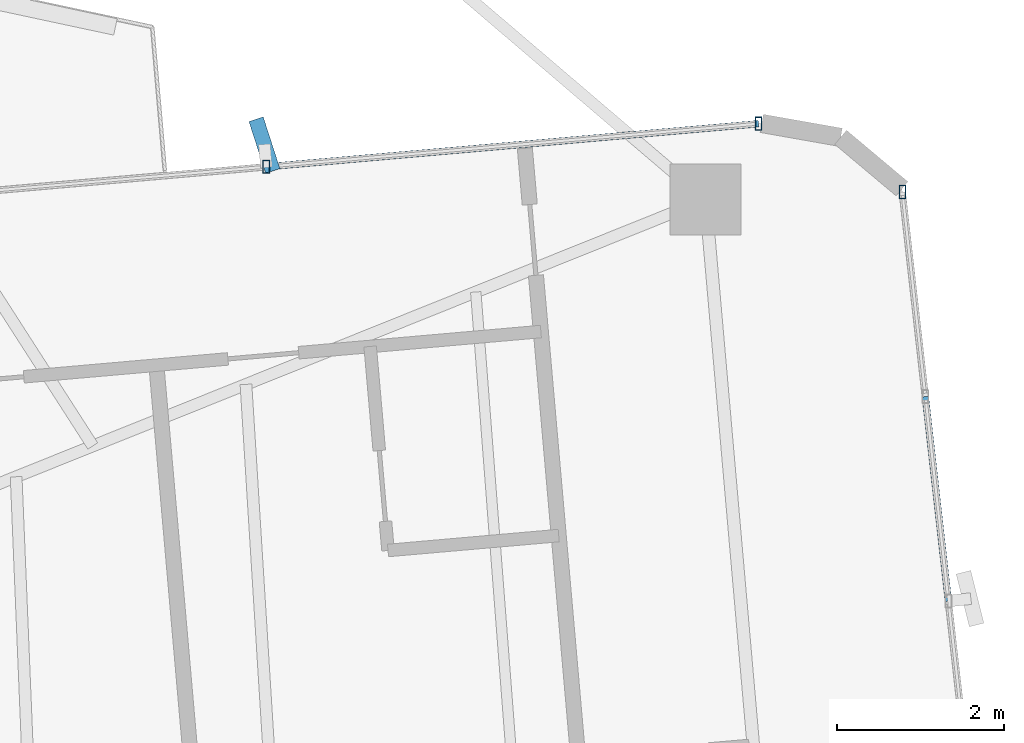
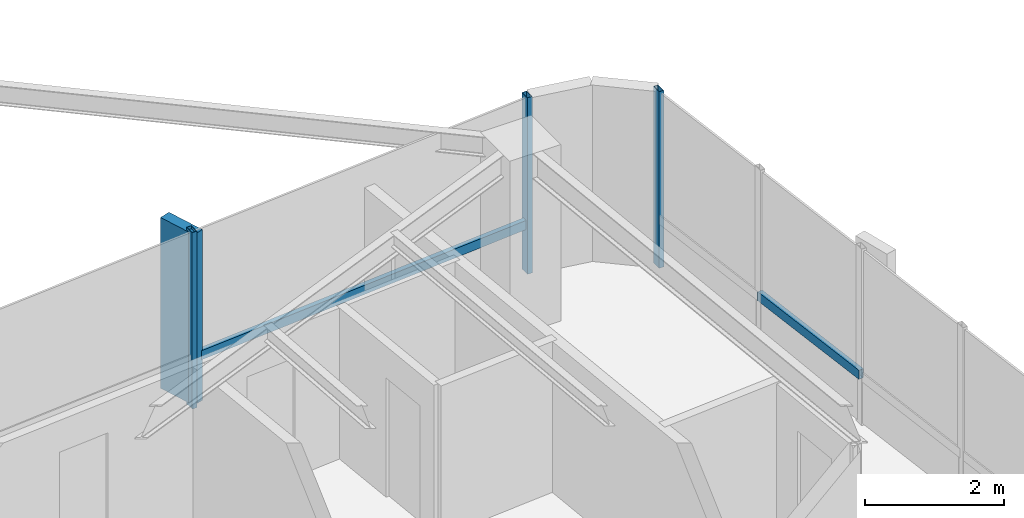
# One storey, part 15 of 24: 6 members, 2 elements without a shape of their own.
"""IFC4 building model written with IfcOpenShell, lengths in metres."""

from ifc_helpers import new_model, si_unit, direction, frame, origin, origin_2d, place, context, subcontext, project, spatial, rectangle, hollow_rectangle, extrude, source, transform, mapped, material, material_profile, profile_set, type_object, element, aggregate, save


model = new_model("IFC4")

# Units and contexts
model_context = context("Model", 3, precision=1e-05, world=origin(), true_north=direction((0.0, 1.0)))
body_context = subcontext(model_context, "Body", "Model", "MODEL_VIEW")
ifc_project = project(units=[si_unit("LENGTHUNIT", "METRE"), si_unit("AREAUNIT", "SQUARE_METRE"), si_unit("VOLUMEUNIT", "CUBIC_METRE"), si_unit("PLANEANGLEUNIT", "RADIAN"), si_unit("MASSUNIT", "GRAM", prefix="KILO")], contexts=[model_context])

# Site, building, storey
site_placement = place(None, origin())
site = spatial("IfcSite", under=ifc_project, at=site_placement, CompositionType="ELEMENT")
building_placement = place(site_placement, origin())
building = spatial("IfcBuilding", under=site, at=building_placement, Name="Sahyath Konkavel Grand Hotel", CompositionType="ELEMENT")
storey_placement = place(building_placement, frame((0.0, 0.0, 175.199951171875)))
storey = spatial("IfcBuildingStorey", under=building, at=storey_placement, Name="L48", CompositionType="ELEMENT", Elevation=175.199951171875)

# Curtain wall, member
ifc_material_1 = material(Name="Anodised Bronze Aluminium & Low-E Glazing", Category="aluminium")
curtain_wall_type = type_object("IfcCurtainWallType", Name="CW-ZONE3", PredefinedType="NOTDEFINED", material=ifc_material_1)
curtain_wall_1_placement = place(storey_placement, origin())
curtain_wall_1 = element("IfcCurtainWall", 1, at=curtain_wall_1_placement, inside=storey, type_object=curtain_wall_type, Name="L48 Unitised Curtain Wall F7", PredefinedType="NOTDEFINED")
ifc_material_2 = material(Name="Warm Buff Sandstone Cladding on Concrete C50/60", Category="masonry")
ifc_material_profile_1 = material_profile(ifc_material_2, rectangle(XDim=0.179931640625, YDim=0.64990234375, at=origin_2d()), Name="FIN 180x650")
ifc_profile_set_1 = profile_set([ifc_material_profile_1], Name="Warm Buff Sandstone Cladding on Concrete C50/60")
member_type_1 = type_object("IfcMemberType", Name="FIN-SANDSTONE-650", PredefinedType="MULLION", material=ifc_profile_set_1)
shared_shape_1 = source(origin(), body_context, "Body", "SweptSolid", [
    extrude(rectangle(XDim=0.179931640625, YDim=0.64990234375, at=origin_2d()), origin(), (0.0, 0.0, 1.0), 3.010009765625),
])
member_1_placement = place(storey_placement, frame((11.677001953125, 7.656982421875, 0.050048828125), z_axis=(0.0, 0.0, 1.0), x_axis=(0.951648033235, 0.307190528564, 0.0)))
member_1 = element("IfcMember", 2, at=member_1_placement, type_object=member_type_1, Name="L48 Sandstone Vertical Solar Fin FIN F7-1", PredefinedType="MULLION", context=body_context, shape_type="MappedRepresentation", body=[
    mapped(shared_shape_1, transform((0.0, 0.0, 0.0), scale=1.0)),
])

curtain_wall_2_placement = place(storey_placement, origin())
curtain_wall_2 = element("IfcCurtainWall", 3, at=curtain_wall_2_placement, inside=storey, type_object=curtain_wall_type, Name="L48 Unitised Curtain Wall F4", PredefinedType="NOTDEFINED")
ifc_material_3 = material(Name="Anodised Bronze Aluminium", Category="aluminium")
ifc_material_profile_2 = material_profile(ifc_material_3, hollow_rectangle(XDim=0.080078125, YDim=0.159912109375, WallThickness=0.006103515625, at=origin_2d()), Name="RHS 160x80x6")
ifc_profile_set_2 = profile_set([ifc_material_profile_2], Name="Anodised Bronze Aluminium")
member_type_2 = type_object("IfcMemberType", Name="CW-MUL-160", PredefinedType="MULLION", material=ifc_profile_set_2)
shared_shape_2 = source(origin(), body_context, "Body", "SweptSolid", [
    extrude(hollow_rectangle(XDim=0.080078125, YDim=0.159912109375, WallThickness=0.006103515625, at=origin_2d()), origin(), (0.0, 0.0, 1.0), 3.110107421875),
])
member_2_placement = place(storey_placement, frame((19.308349609375, 7.094970703125, 0.0), z_axis=(0.0, 0.0, 1.0), x_axis=(1.0, 0.0, 0.0)))
member_2 = element("IfcMember", 4, at=member_2_placement, type_object=member_type_2, Name="L48 Curtain Wall Mullion F4-4", PredefinedType="MULLION", context=body_context, shape_type="MappedRepresentation", body=[
    mapped(shared_shape_2, transform((0.0, 0.0, 0.0), scale=1.0)),
])

# Member
member_3_placement = place(storey_placement, frame((17.58740234375, 7.912841796875, 0.0), z_axis=(0.0, 0.0, 1.0), x_axis=(1.0, 0.0, 0.0)))
member_3 = element("IfcMember", 5, at=member_3_placement, type_object=member_type_2, Name="L48 Curtain Wall Mullion F7-0", PredefinedType="MULLION", context=body_context, shape_type="MappedRepresentation", body=[
    mapped(shared_shape_2, transform((0.0, 0.0, 0.0), scale=1.0)),
])

member_4_placement = place(storey_placement, frame((11.69970703125, 7.39794921875, 0.0), z_axis=(0.0, 0.0, 1.0), x_axis=(1.0, 0.0, 0.0)))
member_4 = element("IfcMember", 6, at=member_4_placement, type_object=member_type_2, Name="L48 Curtain Wall Mullion F7-1", PredefinedType="MULLION", context=body_context, shape_type="MappedRepresentation", body=[
    mapped(shared_shape_2, transform((0.0, 0.0, 0.0), scale=1.0)),
])

ifc_material_profile_3 = material_profile(ifc_material_3, hollow_rectangle(XDim=0.080078125, YDim=0.159912109375, WallThickness=0.006103515625, at=origin_2d()), Name="RHS 160x80x6")
ifc_profile_set_3 = profile_set([ifc_material_profile_3], Name="Anodised Bronze Aluminium")
member_type_3 = type_object("IfcMemberType", Name="CW-TRN-160", PredefinedType="USERDEFINED", material=ifc_profile_set_3)
shared_shape_3 = source(origin(), body_context, "Body", "SweptSolid", [
    extrude(hollow_rectangle(XDim=0.080078125, YDim=0.159912109375, WallThickness=0.006103515625, at=origin_2d()), origin(), (0.0, 0.0, 1.0), 2.461669921875),
])
member_5_placement = place(storey_placement, frame((19.859619140625, 2.201904296875, 0.85009765625), z_axis=(-0.111966154832, 0.993712020744, 0.0), x_axis=(-0.993712020744, -0.111966154832, 0.0)))
member_5 = element("IfcMember", 7, at=member_5_placement, type_object=member_type_3, Name="L48 Curtain Wall Transom F4-2-spandrel", ObjectType="TRANSOM", PredefinedType="USERDEFINED", context=body_context, shape_type="MappedRepresentation", body=[
    mapped(shared_shape_3, transform((0.0, 0.0, 0.0), scale=1.0)),
])

aggregate(curtain_wall_2, [member_2, member_5])

shared_shape_4 = source(origin(), body_context, "Body", "SweptSolid", [
    extrude(hollow_rectangle(XDim=0.080078125, YDim=0.159912109375, WallThickness=0.006103515625, at=origin_2d()), origin(), (0.0, 0.0, 1.0), 5.91015625),
])
member_6_placement = place(storey_placement, frame((17.58740234375, 7.912841796875, 0.85009765625), z_axis=(-0.996197841474, -0.087119806256, 0.0), x_axis=(0.087119806256, -0.996197841474, 0.0)))
member_6 = element("IfcMember", 8, at=member_6_placement, type_object=member_type_3, Name="L48 Curtain Wall Transom F7-0-spandrel", ObjectType="TRANSOM", PredefinedType="USERDEFINED", context=body_context, shape_type="MappedRepresentation", body=[
    mapped(shared_shape_4, transform((0.0, 0.0, 0.0), scale=1.0)),
])

aggregate(curtain_wall_1, [member_3, member_4, member_1, member_6])

save(model, "model.ifc")
